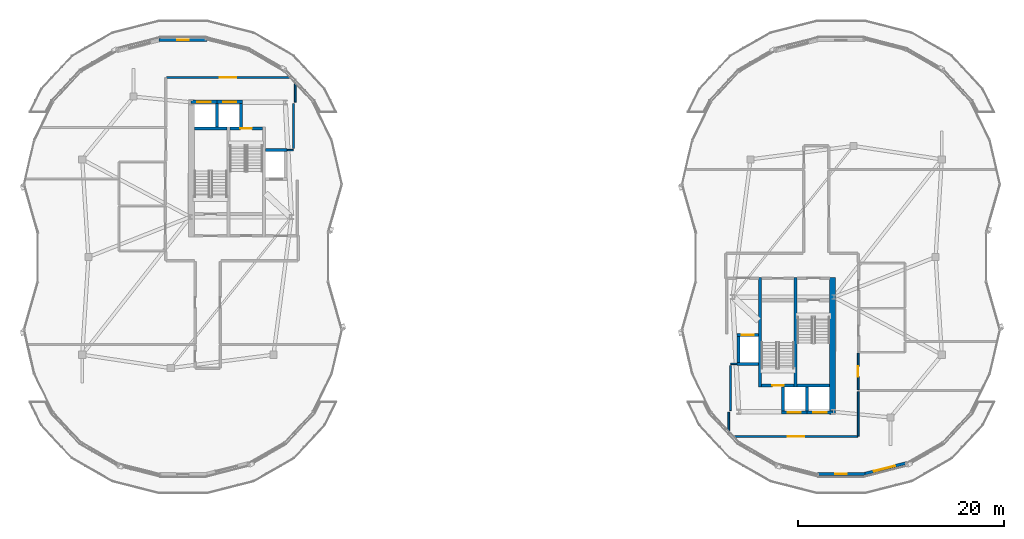
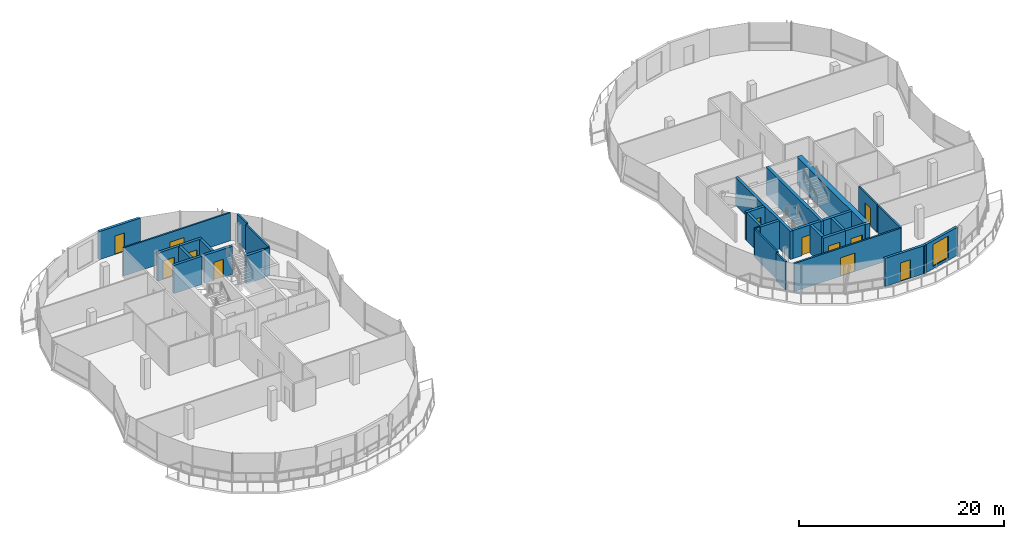
# One storey, part 13 of 20: 32 walls, 12 doors, 1 window, 13 openings.
"""IFC4 building model written with IfcOpenShell, lengths in metres."""

from ifc_helpers import new_model, si_unit, direction, frame, frame_2d, origin, place, context, subcontext, project, spatial, rectangle, extrude, material, layer, layer_set, type_object, element, fill, save


model = new_model("IFC4")

# Units and contexts
model_context = context("Model", 3, precision=1e-05, world=origin(), true_north=direction((0.0, 1.0)))
body_context = subcontext(model_context, "Body", "Model", "MODEL_VIEW")
ifc_project = project(units=[si_unit("LENGTHUNIT", "METRE"), si_unit("AREAUNIT", "SQUARE_METRE"), si_unit("VOLUMEUNIT", "CUBIC_METRE"), si_unit("PLANEANGLEUNIT", "RADIAN"), si_unit("MASSUNIT", "GRAM", prefix="KILO"), si_unit("THERMODYNAMICTEMPERATUREUNIT", "KELVIN"), si_unit("POWERUNIT", "WATT")], contexts=[model_context])

# Site, building, storey
site_placement = place(None, origin())
site = spatial("IfcSite", under=ifc_project, at=site_placement, CompositionType="ELEMENT")
building_placement = place(site_placement, origin())
building = spatial("IfcBuilding", under=site, at=building_placement, Name="Cundina Bronze Exchange", CompositionType="ELEMENT")
storey_placement = place(building_placement, frame((0.0, 0.0, 279.199951171875)))
storey = spatial("IfcBuildingStorey", under=building, at=storey_placement, Name="L74", CompositionType="ELEMENT", Elevation=279.199951171875)

# Walls
ifc_material_1 = material(Name="Gypsum Fireboard Partition EI120")
ifc_layer_1 = layer(ifc_material_1, 0.179931640625, Name="Gypsum Fireboard Partition EI120")
ifc_layer_set_1 = layer_set([ifc_layer_1], Name="Gypsum Fireboard Partition EI120")
wall_type_1 = type_object("IfcWallType", Name="WL-COR-180", PredefinedType="PARTITIONING", material=ifc_layer_set_1)
wall_1_placement = place(storey_placement, frame((-21.25, 10.570068359375, 0.0), z_axis=(0.0, 0.0, 1.0), x_axis=(0.0, 1.0, 0.0)))
element("IfcWall", 1, at=wall_1_placement, inside=storey, type_object=wall_type_1, Name="L74 Interior Partition 002", PredefinedType="PARTITIONING", context=body_context, shape_type="SweptSolid", body=[
    extrude(rectangle(XDim=4.35986328125, YDim=0.179931640625, at=frame_2d((2.179931640625, 0.0))), origin(), (0.0, 0.0, 1.0), 3.340087890625),
])
wall_2_placement = place(storey_placement, frame((-21.080078125, 15.071533203125, 0.0), z_axis=(0.0, 0.0, 1.0), x_axis=(0.0, 1.0, 0.0)))
element("IfcWall", 2, at=wall_2_placement, inside=storey, type_object=wall_type_1, Name="L74 Interior Partition 025", PredefinedType="PARTITIONING", context=body_context, shape_type="SweptSolid", body=[
    extrude(rectangle(XDim=1.80078125, YDim=0.179931640625, at=frame_2d((0.900390625, 0.0))), origin(), (0.0, 0.0, 1.0), 3.340087890625),
])

# Wall, opening, door
wall_3_placement = place(storey_placement, frame((-21.632080078125, 17.469970703125, 0.0), z_axis=(0.0, 0.0, 1.0), x_axis=(-1.0, 0.0, 0.0)))
wall_3 = element("IfcWall", 3, at=wall_3_placement, inside=storey, type_object=wall_type_1, Name="L74 Interior Partition 027", PredefinedType="PARTITIONING", context=body_context, shape_type="SweptSolid", body=[
    extrude(rectangle(XDim=11.996337890625, YDim=0.179931640625, at=frame_2d((5.998046875, 0.0))), origin(), (0.0, 0.0, 1.0), 3.340087890625),
])
opening_1_placement = place(wall_3_placement, frame((5.1982421875, 0.0, 0.0)))
opening_1 = element("IfcOpeningElement", 4, at=opening_1_placement, cuts=wall_3, Name="Opening DO-02", PredefinedType="OPENING", context=body_context, shape_type="SweptSolid", body=[
    extrude(rectangle(XDim=1.60009765625, YDim=2.199951171875, at=frame_2d((0.800048828125, 1.10009765625))), frame((0.0, 0.099853515625, 0.0), z_axis=(0.0, -1.0, 0.0), x_axis=(1.0, 0.0, 0.0)), (0.0, 0.0, 1.0), 0.199951171875),
])
ifc_material_2 = material(Name="Solid Andean Oak Timber Grade A", Category="wood")
door_type_1 = type_object("IfcDoorType", Name="DR-TRD-1600", OperationType="NOTDEFINED", PredefinedType="DOOR", material=ifc_material_2)
door_1_placement = place(opening_1_placement, origin())
door_1 = element("IfcDoor", 5, at=door_1_placement, inside=storey, type_object=door_type_1, Name="L74 Interior Door 027", OperationType="SINGLE_SWING_LEFT", OverallHeight=2.199951171875, OverallWidth=1.60009765625, PredefinedType="DOOR", context=body_context, shape_type="SweptSolid", body=[
    extrude(rectangle(XDim=1.60009765625, YDim=2.199951171875, at=frame_2d((0.800048828125, 1.10009765625))), frame((0.0, 0.02490234375, 0.0), z_axis=(0.0, -1.0, 0.0), x_axis=(1.0, 0.0, 0.0)), (0.0, 0.0, 1.0), 0.050048828125),
])
fill(opening_1, door_1)

# Wall
wall_4_placement = place(storey_placement, frame((21.25, -14.929931640625, 0.0), z_axis=(0.0, 0.0, 1.0), x_axis=(0.0, 1.0, 0.0)))
element("IfcWall", 6, at=wall_4_placement, inside=storey, type_object=wall_type_1, Name="L74 Interior Partition 030", PredefinedType="PARTITIONING", context=body_context, shape_type="SweptSolid", body=[
    extrude(rectangle(XDim=4.35986328125, YDim=0.179931640625, at=frame_2d((2.179931640625, 0.0))), origin(), (0.0, 0.0, 1.0), 3.340087890625),
])

# Wall, opening, door
wall_5_placement = place(storey_placement, frame((21.632080078125, -17.469970703125, 0.0), z_axis=(0.0, 0.0, 1.0), x_axis=(1.0, 0.0, 0.0)))
wall_5 = element("IfcWall", 7, at=wall_5_placement, inside=storey, type_object=wall_type_1, Name="L74 Interior Partition 044", PredefinedType="PARTITIONING", context=body_context, shape_type="SweptSolid", body=[
    extrude(rectangle(XDim=11.996337890625, YDim=0.179931640625, at=frame_2d((5.998046875, 0.0))), origin(), (0.0, 0.0, 1.0), 3.340087890625),
])
opening_2_placement = place(wall_5_placement, frame((5.1982421875, 0.0, 0.0)))
opening_2 = element("IfcOpeningElement", 8, at=opening_2_placement, cuts=wall_5, Name="Opening DO-02", PredefinedType="OPENING", context=body_context, shape_type="SweptSolid", body=[
    extrude(rectangle(XDim=1.60009765625, YDim=2.199951171875, at=frame_2d((0.800048828125, 1.10009765625))), frame((0.0, 0.099853515625, 0.0), z_axis=(0.0, -1.0, 0.0), x_axis=(1.0, 0.0, 0.0)), (0.0, 0.0, 1.0), 0.199951171875),
])
door_2_placement = place(opening_2_placement, origin())
door_2 = element("IfcDoor", 9, at=door_2_placement, inside=storey, type_object=door_type_1, Name="L74 Interior Door 044", OperationType="SINGLE_SWING_RIGHT", OverallHeight=2.199951171875, OverallWidth=1.60009765625, PredefinedType="DOOR", context=body_context, shape_type="SweptSolid", body=[
    extrude(rectangle(XDim=1.60009765625, YDim=2.199951171875, at=frame_2d((0.800048828125, 1.10009765625))), frame((0.0, 0.02490234375, 0.0), z_axis=(0.0, -1.0, 0.0), x_axis=(1.0, 0.0, 0.0)), (0.0, 0.0, 1.0), 0.050048828125),
])
fill(opening_2, door_2)

# Wall
wall_6_placement = place(storey_placement, frame((33.669921875, -17.428466796875, 0.0), z_axis=(0.0, 0.0, 1.0), x_axis=(0.0, 1.0, 0.0)))
element("IfcWall", 10, at=wall_6_placement, inside=storey, type_object=wall_type_1, Name="L74 Interior Partition 045", PredefinedType="PARTITIONING", context=body_context, shape_type="SweptSolid", body=[
    extrude(rectangle(XDim=4.33837890625, YDim=0.179931640625, at=frame_2d((2.169189453125, 0.0))), origin(), (0.0, 0.0, 1.0), 3.340087890625),
])

# Wall, opening, door
wall_7_placement = place(storey_placement, frame((33.669921875, -12.909912109375, 0.0), z_axis=(0.0, 0.0, 1.0), x_axis=(0.0, 1.0, 0.0)))
wall_7 = element("IfcWall", 11, at=wall_7_placement, inside=storey, type_object=wall_type_1, Name="L74 Interior Partition 046", PredefinedType="PARTITIONING", context=body_context, shape_type="SweptSolid", body=[
    extrude(rectangle(XDim=3.55859375, YDim=0.179931640625, at=frame_2d((1.779296875, 0.0))), origin(), (0.0, 0.0, 1.0), 3.340087890625),
])
opening_3_placement = place(wall_7_placement, frame((1.279296875, 0.0, 0.0)))
opening_3 = element("IfcOpeningElement", 12, at=opening_3_placement, cuts=wall_7, Name="Opening DO-01", PredefinedType="OPENING", context=body_context, shape_type="SweptSolid", body=[
    extrude(rectangle(XDim=1.0, YDim=2.14990234375, at=frame_2d((0.5, 1.074951171875))), frame((0.0, 0.099853515625, 0.0), z_axis=(0.0, -1.0, 0.0), x_axis=(1.0, 0.0, 0.0)), (0.0, 0.0, 1.0), 0.199951171875),
])
door_type_2 = type_object("IfcDoorType", Name="DR-OFF-1000", OperationType="NOTDEFINED", PredefinedType="DOOR", material=ifc_material_2)
door_3_placement = place(opening_3_placement, origin())
door_3 = element("IfcDoor", 13, at=door_3_placement, inside=storey, type_object=door_type_2, Name="L74 Interior Door 046", OperationType="SINGLE_SWING_LEFT", OverallHeight=2.14990234375, OverallWidth=1.0, PredefinedType="DOOR", context=body_context, shape_type="SweptSolid", body=[
    extrude(rectangle(XDim=1.0, YDim=2.14990234375, at=frame_2d((0.5, 1.074951171875))), frame((0.0, 0.02490234375, 0.0), z_axis=(0.0, -1.0, 0.0), x_axis=(1.0, 0.0, 0.0)), (0.0, 0.0, 1.0), 0.050048828125),
])
fill(opening_3, door_3)

# Walls
wall_8_placement = place(storey_placement, frame((21.080078125, -15.071533203125, 0.0), z_axis=(0.0, 0.0, 1.0), x_axis=(0.0, -1.0, 0.0)))
element("IfcWall", 14, at=wall_8_placement, inside=storey, type_object=wall_type_1, Name="L74 Interior Partition 050", PredefinedType="PARTITIONING", context=body_context, shape_type="SweptSolid", body=[
    extrude(rectangle(XDim=1.80078125, YDim=0.179931640625, at=frame_2d((0.900390625, 0.0))), origin(), (0.0, 0.0, 1.0), 3.340087890625),
])
ifc_material_3 = material(Name="Concrete C50/60", Category="concrete")
ifc_layer_2 = layer(ifc_material_3, 0.550048828125, Name="Concrete C50/60", Category="concrete")
ifc_layer_set_2 = layer_set([ifc_layer_2], Name="Concrete C50/60")
wall_type_2 = type_object("IfcWallType", Name="WL-CORE-550", PredefinedType="SHEAR", material=ifc_layer_set_2)
wall_9_placement = place(storey_placement, frame((31.175048828125, -15.300048828125, 0.0), z_axis=(0.0, 0.0, 1.0), x_axis=(0.0, 1.0, 0.0)))
element("IfcWall", 15, at=wall_9_placement, inside=storey, type_object=wall_type_2, Name="L74 E Primary Core Shear Spine Wall", PredefinedType="SHEAR", context=body_context, shape_type="SweptSolid", body=[
    extrude(rectangle(XDim=13.330078125, YDim=0.550048828125, at=frame_2d((6.6650390625, 0.0))), origin(), (0.0, 0.0, 1.0), 3.340087890625),
])

# Wall, opening, door
ifc_material_4 = material(Name="Precast Concrete C45/55", Category="concrete")
ifc_layer_3 = layer(ifc_material_4, 0.280029296875, Name="Precast Concrete C45/55", Category="concrete")
ifc_layer_set_3 = layer_set([ifc_layer_3], Name="Precast Concrete C45/55")
wall_type_3 = type_object("IfcWallType", Name="WL-EXT-280", PredefinedType="SOLIDWALL", material=ifc_layer_set_3)
wall_10_placement = place(storey_placement, frame((-29.67822265625, 21.105712890625, 0.0), z_axis=(0.0, 0.0, 1.0), x_axis=(-1.0, 0.0, 0.0)))
wall_10 = element("IfcWall", 16, at=wall_10_placement, inside=storey, type_object=wall_type_3, Name="L74 Leg W Crown Terrace Wall 06", PredefinedType="SOLIDWALL", context=body_context, shape_type="SweptSolid", body=[
    extrude(rectangle(XDim=4.6435546875, YDim=0.280029296875, at=frame_2d((2.32177734375, 0.0))), origin(), (0.0, 0.0, 1.0), 3.340087890625),
])
opening_4_placement = place(wall_10_placement, frame((1.77197265625, 0.0, 0.0)))
opening_4 = element("IfcOpeningElement", 17, at=opening_4_placement, cuts=wall_10, Name="Opening DT-01", PredefinedType="OPENING", context=body_context, shape_type="SweptSolid", body=[
    extrude(rectangle(XDim=1.10009765625, YDim=2.199951171875, at=frame_2d((0.550048828125, 1.10009765625))), frame((0.0, 0.14990234375, 0.0), z_axis=(0.0, -1.0, 0.0), x_axis=(1.0, 0.0, 0.0)), (0.0, 0.0, 1.0), 0.300048828125),
])
ifc_material_5 = material(Name="Anodised Bronze Aluminium 6063-T6", Category="aluminium")
door_type_3 = type_object("IfcDoorType", Name="DR-TER-1100", OperationType="NOTDEFINED", PredefinedType="DOOR", material=ifc_material_5)
door_4_placement = place(opening_4_placement, origin())
door_4 = element("IfcDoor", 18, at=door_4_placement, inside=storey, type_object=door_type_3, Name="L74 Leg W Planted Terrace Access Door 06", OperationType="SINGLE_SWING_LEFT", OverallHeight=2.199951171875, OverallWidth=1.10009765625, PredefinedType="DOOR", context=body_context, shape_type="SweptSolid", body=[
    extrude(rectangle(XDim=1.10009765625, YDim=2.199951171875, at=frame_2d((0.550048828125, 1.10009765625))), frame((0.0, 0.02490234375, 0.0), z_axis=(0.0, -1.0, 0.0), x_axis=(1.0, 0.0, 0.0)), (0.0, 0.0, 1.0), 0.050048828125),
])
fill(opening_4, door_4)

wall_11_placement = place(storey_placement, frame((29.67822265625, -21.105712890625, 0.0), z_axis=(0.0, 0.0, 1.0), x_axis=(1.0, 0.0, 0.0)))
wall_11 = element("IfcWall", 19, at=wall_11_placement, inside=storey, type_object=wall_type_3, Name="L74 Leg E Crown Terrace Wall 20", PredefinedType="SOLIDWALL", context=body_context, shape_type="SweptSolid", body=[
    extrude(rectangle(XDim=4.6435546875, YDim=0.280029296875, at=frame_2d((2.32177734375, 0.0))), origin(), (0.0, 0.0, 1.0), 3.340087890625),
])
opening_5_placement = place(wall_11_placement, frame((1.77197265625, 0.0, 0.0)))
opening_5 = element("IfcOpeningElement", 20, at=opening_5_placement, cuts=wall_11, Name="Opening DT-01", PredefinedType="OPENING", context=body_context, shape_type="SweptSolid", body=[
    extrude(rectangle(XDim=1.10009765625, YDim=2.199951171875, at=frame_2d((0.550048828125, 1.10009765625))), frame((0.0, 0.14990234375, 0.0), z_axis=(0.0, -1.0, 0.0), x_axis=(1.0, 0.0, 0.0)), (0.0, 0.0, 1.0), 0.300048828125),
])
door_5_placement = place(opening_5_placement, origin())
door_5 = element("IfcDoor", 21, at=door_5_placement, inside=storey, type_object=door_type_3, Name="L74 Leg E Planted Terrace Access Door 20", OperationType="SINGLE_SWING_RIGHT", OverallHeight=2.199951171875, OverallWidth=1.10009765625, PredefinedType="DOOR", context=body_context, shape_type="SweptSolid", body=[
    extrude(rectangle(XDim=1.10009765625, YDim=2.199951171875, at=frame_2d((0.550048828125, 1.10009765625))), frame((0.0, 0.02490234375, 0.0), z_axis=(0.0, -1.0, 0.0), x_axis=(1.0, 0.0, 0.0)), (0.0, 0.0, 1.0), 0.050048828125),
])
fill(opening_5, door_5)

# Wall, opening, window
wall_12_placement = place(storey_placement, frame((34.006591796875, -21.1455078125, 0.0), z_axis=(0.0, 0.0, 1.0), x_axis=(0.968658938671, 0.248394566232, 0.0)))
wall_12 = element("IfcWall", 22, at=wall_12_placement, inside=storey, type_object=wall_type_3, Name="L74 Leg E Crown Feature Wall 21", PredefinedType="SOLIDWALL", context=body_context, shape_type="SweptSolid", body=[
    extrude(rectangle(XDim=4.585205078125, YDim=0.280029296875, at=frame_2d((2.29248046875, 0.0))), origin(), (0.0, 0.0, 1.0), 3.340087890625),
])
opening_6_placement = place(wall_12_placement, frame((1.242919921875, 0.0, 0.300048828125)))
opening_6 = element("IfcOpeningElement", 23, at=opening_6_placement, cuts=wall_12, Name="Opening W-04", PredefinedType="OPENING", context=body_context, shape_type="SweptSolid", body=[
    extrude(rectangle(XDim=2.10009765625, YDim=2.60009765625, at=frame_2d((1.050048828125, 1.300048828125))), frame((0.0, 0.14990234375, 0.0), z_axis=(0.0, -1.0, 0.0), x_axis=(1.0, 0.0, 0.0)), (0.0, 0.0, 1.0), 0.300048828125),
])
ifc_material_6 = material(Name="Clear Low-E Insulating Glass 26mm", Category="glass")
window_type = type_object("IfcWindowType", Name="WN-CRN-2100", PartitioningType="SINGLE_PANEL", PredefinedType="WINDOW", material=ifc_material_6)
window_placement = place(opening_6_placement, origin())
window = element("IfcWindow", 24, at=window_placement, inside=storey, type_object=window_type, Name="L74 Leg E Crown Pavilion Window 21", OverallHeight=2.60009765625, OverallWidth=2.10009765625, PartitioningType="SINGLE_PANEL", PredefinedType="WINDOW", context=body_context, shape_type="SweptSolid", body=[
    extrude(rectangle(XDim=2.10009765625, YDim=2.60009765625, at=frame_2d((1.050048828125, 1.300048828125))), frame((0.0, 0.030029296875, 0.0), z_axis=(0.0, -1.0, 0.0), x_axis=(1.0, 0.0, 0.0)), (0.0, 0.0, 1.0), 0.06005859375),
])
fill(opening_6, window)

# Wall
ifc_layer_4 = layer(ifc_material_3, 0.300048828125, Name="Concrete C50/60", Category="concrete")
ifc_layer_set_4 = layer_set([ifc_layer_4], Name="Concrete C50/60")
wall_type_4 = type_object("IfcWallType", Name="WL-SHFT-300", PredefinedType="SHEAR", material=ifc_layer_set_4)
wall_13_placement = place(storey_placement, frame((-30.89990234375, 12.5, 0.0), z_axis=(0.0, 0.0, 1.0), x_axis=(1.0, 0.0, 0.0)))
element("IfcWall", 25, at=wall_13_placement, inside=storey, type_object=wall_type_4, Name="L74 Stair W1 Far Shaft Wall", PredefinedType="SHEAR", context=body_context, shape_type="SweptSolid", body=[
    extrude(rectangle(XDim=3.159912109375, YDim=0.300048828125, at=frame_2d((1.580078125, 0.0))), origin(), (0.0, 0.0, 1.0), 3.340087890625),
])

# Wall, opening, door
wall_14_placement = place(storey_placement, frame((-27.43994140625, 12.5, 0.0), z_axis=(0.0, 0.0, 1.0), x_axis=(1.0, 0.0, 0.0)))
wall_14 = element("IfcWall", 26, at=wall_14_placement, inside=storey, type_object=wall_type_4, Name="L74 Stair W2 Landing Wall", PredefinedType="SHEAR", context=body_context, shape_type="SweptSolid", body=[
    extrude(rectangle(XDim=3.159912109375, YDim=0.300048828125, at=frame_2d((1.580078125, 0.0))), origin(), (0.0, 0.0, 1.0), 3.340087890625),
])
opening_7_placement = place(wall_14_placement, frame((1.030029296875, 0.0, 0.0)))
opening_7 = element("IfcOpeningElement", 27, at=opening_7_placement, cuts=wall_14, Name="Opening DS-01", PredefinedType="OPENING", context=body_context, shape_type="SweptSolid", body=[
    extrude(rectangle(XDim=1.10009765625, YDim=2.14990234375, at=frame_2d((0.550048828125, 1.074951171875))), frame((0.0, 0.159912109375, 0.0), z_axis=(0.0, -1.0, 0.0), x_axis=(1.0, 0.0, 0.0)), (0.0, 0.0, 1.0), 0.320068359375),
])
ifc_material_7 = material(Name="Steel ASTM A36 Painted", Category="steel")
door_type_4 = type_object("IfcDoorType", Name="DR-STR-1100", OperationType="NOTDEFINED", PredefinedType="DOOR", material=ifc_material_7)
door_6_placement = place(opening_7_placement, origin())
door_6 = element("IfcDoor", 28, at=door_6_placement, inside=storey, type_object=door_type_4, Name="L74 Smokeproof Stair W2 Door", OperationType="SINGLE_SWING_LEFT", OverallHeight=2.14990234375, OverallWidth=1.10009765625, PredefinedType="DOOR", context=body_context, shape_type="SweptSolid", body=[
    extrude(rectangle(XDim=1.10009765625, YDim=2.14990234375, at=frame_2d((0.550048828125, 1.074951171875))), frame((0.0, 0.02490234375, 0.0), z_axis=(0.0, -1.0, 0.0), x_axis=(1.0, 0.0, 0.0)), (0.0, 0.0, 1.0), 0.050048828125),
])
fill(opening_7, door_6)

# Wall
wall_15_placement = place(storey_placement, frame((-23.97998046875, 10.39990234375, 0.0), z_axis=(0.0, 0.0, 1.0), x_axis=(1.0, 0.0, 0.0)))
element("IfcWall", 29, at=wall_15_placement, inside=storey, type_object=wall_type_4, Name="L74 FFL-W Hoistway Back Wall", PredefinedType="SHEAR", context=body_context, shape_type="SweptSolid", body=[
    extrude(rectangle(XDim=2.10009765625, YDim=0.300048828125, at=frame_2d((1.050048828125, 0.0))), origin(), (0.0, 0.0, 1.0), 3.340087890625),
])

# Wall, opening, door
wall_16_placement = place(storey_placement, frame((-31.199951171875, 15.10009765625, 0.0), z_axis=(0.0, 0.0, 1.0), x_axis=(1.0, 0.0, 0.0)))
wall_16 = element("IfcWall", 30, at=wall_16_placement, inside=storey, type_object=wall_type_4, Name="L74 PH-W1 Hoistway Front Wall", PredefinedType="SHEAR", context=body_context, shape_type="SweptSolid", body=[
    extrude(rectangle(XDim=2.5, YDim=0.300048828125, at=frame_2d((1.25, 0.0))), origin(), (0.0, 0.0, 1.0), 3.340087890625),
])
opening_8_placement = place(wall_16_placement, frame((0.60009765625, 0.0, 0.0)))
opening_8 = element("IfcOpeningElement", 31, at=opening_8_placement, cuts=wall_16, Name="Opening LD-02", PredefinedType="OPENING", context=body_context, shape_type="SweptSolid", body=[
    extrude(rectangle(XDim=1.300048828125, YDim=2.199951171875, at=frame_2d((0.64990234375, 1.10009765625))), frame((0.0, 0.159912109375, 0.0), z_axis=(0.0, -1.0, 0.0), x_axis=(1.0, 0.0, 0.0)), (0.0, 0.0, 1.0), 0.320068359375),
])
door_type_5 = type_object("IfcDoorType", Name="DR-LND-1300", OperationType="NOTDEFINED", PredefinedType="TRAPDOOR", material=ifc_material_7)
door_7_placement = place(opening_8_placement, origin())
door_7 = element("IfcDoor", 32, at=door_7_placement, inside=storey, type_object=door_type_5, Name="L74 PH-W1 Sliding Landing Door", OperationType="SLIDING_TO_LEFT", OverallHeight=2.199951171875, OverallWidth=1.300048828125, PredefinedType="TRAPDOOR", context=body_context, shape_type="SweptSolid", body=[
    extrude(rectangle(XDim=1.300048828125, YDim=2.199951171875, at=frame_2d((0.64990234375, 1.10009765625))), frame((0.0, 0.02490234375, 0.0), z_axis=(0.0, -1.0, 0.0), x_axis=(1.0, 0.0, 0.0)), (0.0, 0.0, 1.0), 0.050048828125),
])
fill(opening_8, door_7)

# Wall
wall_17_placement = place(storey_placement, frame((-28.699951171875, 12.64990234375, 0.0), z_axis=(0.0, 0.0, 1.0), x_axis=(0.0, 1.0, 0.0)))
element("IfcWall", 33, at=wall_17_placement, inside=storey, type_object=wall_type_4, Name="L74 PH-W1 Hoistway Divider Wall", PredefinedType="SHEAR", context=body_context, shape_type="SweptSolid", body=[
    extrude(rectangle(XDim=2.300048828125, YDim=0.300048828125, at=frame_2d((1.14990234375, 0.0))), origin(), (0.0, 0.0, 1.0), 3.340087890625),
])

# Wall, opening, door
wall_18_placement = place(storey_placement, frame((-28.699951171875, 15.10009765625, 0.0), z_axis=(0.0, 0.0, 1.0), x_axis=(1.0, 0.0, 0.0)))
wall_18 = element("IfcWall", 34, at=wall_18_placement, inside=storey, type_object=wall_type_4, Name="L74 PH-W2 Hoistway Front Wall", PredefinedType="SHEAR", context=body_context, shape_type="SweptSolid", body=[
    extrude(rectangle(XDim=2.5, YDim=0.300048828125, at=frame_2d((1.25, 0.0))), origin(), (0.0, 0.0, 1.0), 3.340087890625),
])
opening_9_placement = place(wall_18_placement, frame((0.60009765625, 0.0, 0.0)))
opening_9 = element("IfcOpeningElement", 35, at=opening_9_placement, cuts=wall_18, Name="Opening LD-02", PredefinedType="OPENING", context=body_context, shape_type="SweptSolid", body=[
    extrude(rectangle(XDim=1.300048828125, YDim=2.199951171875, at=frame_2d((0.64990234375, 1.10009765625))), frame((0.0, 0.159912109375, 0.0), z_axis=(0.0, -1.0, 0.0), x_axis=(1.0, 0.0, 0.0)), (0.0, 0.0, 1.0), 0.320068359375),
])
door_8_placement = place(opening_9_placement, origin())
door_8 = element("IfcDoor", 36, at=door_8_placement, inside=storey, type_object=door_type_5, Name="L74 PH-W2 Sliding Landing Door", OperationType="SLIDING_TO_LEFT", OverallHeight=2.199951171875, OverallWidth=1.300048828125, PredefinedType="TRAPDOOR", context=body_context, shape_type="SweptSolid", body=[
    extrude(rectangle(XDim=1.300048828125, YDim=2.199951171875, at=frame_2d((0.64990234375, 1.10009765625))), frame((0.0, 0.02490234375, 0.0), z_axis=(0.0, -1.0, 0.0), x_axis=(1.0, 0.0, 0.0)), (0.0, 0.0, 1.0), 0.050048828125),
])
fill(opening_9, door_8)

# Walls
wall_19_placement = place(storey_placement, frame((-26.35009765625, 12.64990234375, 0.0), z_axis=(0.0, 0.0, 1.0), x_axis=(0.0, 1.0, 0.0)))
element("IfcWall", 37, at=wall_19_placement, inside=storey, type_object=wall_type_4, Name="L74 PH-W2 Hoistway Divider Wall", PredefinedType="SHEAR", context=body_context, shape_type="SweptSolid", body=[
    extrude(rectangle(XDim=2.300048828125, YDim=0.300048828125, at=frame_2d((1.14990234375, 0.0))), origin(), (0.0, 0.0, 1.0), 3.340087890625),
])
for number, where, z_axis, x_axis, name in (
    (38, (27.590087890625, -12.64990234375, 0.0), (0.0, 0.0, 1.0), (0.0, 1.0, 0.0), "L74 E Stair Shaft Dividing Shear Wall"),
    (39, (24.1298828125, -12.64990234375, 0.0), (0.0, 0.0, 1.0), (0.0, 1.0, 0.0), "L74 E Stair 2 East Shear Wall"),
):
    element("IfcWall", number, at=place(storey_placement, frame(where, z_axis=z_axis, x_axis=x_axis)), inside=storey, type_object=wall_type_4, Name=name, PredefinedType="SHEAR", context=body_context, shape_type="SweptSolid", body=[
        extrude(rectangle(XDim=10.679931640625, YDim=0.300048828125, at=frame_2d((5.33984375, 0.0))), origin(), (0.0, 0.0, 1.0), 3.340087890625),
    ])
wall_20_placement = place(storey_placement, frame((27.739990234375, -12.5, 0.0), z_axis=(0.0, 0.0, 1.0), x_axis=(1.0, 0.0, 0.0)))
element("IfcWall", 40, at=wall_20_placement, inside=storey, type_object=wall_type_4, Name="L74 Stair E1 Far Shaft Wall", PredefinedType="SHEAR", context=body_context, shape_type="SweptSolid", body=[
    extrude(rectangle(XDim=3.159912109375, YDim=0.300048828125, at=frame_2d((1.580078125, 0.0))), origin(), (0.0, 0.0, 1.0), 3.340087890625),
])

# Wall, opening, door
wall_21_placement = place(storey_placement, frame((24.280029296875, -12.5, 0.0), z_axis=(0.0, 0.0, 1.0), x_axis=(1.0, 0.0, 0.0)))
wall_21 = element("IfcWall", 41, at=wall_21_placement, inside=storey, type_object=wall_type_4, Name="L74 Stair E2 Landing Wall", PredefinedType="SHEAR", context=body_context, shape_type="SweptSolid", body=[
    extrude(rectangle(XDim=3.159912109375, YDim=0.300048828125, at=frame_2d((1.580078125, 0.0))), origin(), (0.0, 0.0, 1.0), 3.340087890625),
])
opening_10_placement = place(wall_21_placement, frame((1.030029296875, 0.0, 0.0)))
opening_10 = element("IfcOpeningElement", 42, at=opening_10_placement, cuts=wall_21, Name="Opening DS-01", PredefinedType="OPENING", context=body_context, shape_type="SweptSolid", body=[
    extrude(rectangle(XDim=1.10009765625, YDim=2.14990234375, at=frame_2d((0.550048828125, 1.074951171875))), frame((0.0, 0.159912109375, 0.0), z_axis=(0.0, -1.0, 0.0), x_axis=(1.0, 0.0, 0.0)), (0.0, 0.0, 1.0), 0.320068359375),
])
door_9_placement = place(opening_10_placement, origin())
door_9 = element("IfcDoor", 43, at=door_9_placement, inside=storey, type_object=door_type_4, Name="L74 Smokeproof Stair E2 Door", OperationType="SINGLE_SWING_RIGHT", OverallHeight=2.14990234375, OverallWidth=1.10009765625, PredefinedType="DOOR", context=body_context, shape_type="SweptSolid", body=[
    extrude(rectangle(XDim=1.10009765625, YDim=2.14990234375, at=frame_2d((0.550048828125, 1.074951171875))), frame((0.0, 0.02490234375, 0.0), z_axis=(0.0, -1.0, 0.0), x_axis=(1.0, 0.0, 0.0)), (0.0, 0.0, 1.0), 0.050048828125),
])
fill(opening_10, door_9)

wall_22_placement = place(storey_placement, frame((21.8798828125, -7.60009765625, 0.0), z_axis=(0.0, 0.0, 1.0), x_axis=(1.0, 0.0, 0.0)))
wall_22 = element("IfcWall", 44, at=wall_22_placement, inside=storey, type_object=wall_type_4, Name="L74 FFL-E Hoistway Front Wall", PredefinedType="SHEAR", context=body_context, shape_type="SweptSolid", body=[
    extrude(rectangle(XDim=2.10009765625, YDim=0.300048828125, at=frame_2d((1.050048828125, 0.0))), origin(), (0.0, 0.0, 1.0), 3.340087890625),
])
opening_11_placement = place(wall_22_placement, frame((0.47509765625, 0.0, 0.0)))
opening_11 = element("IfcOpeningElement", 45, at=opening_11_placement, cuts=wall_22, Name="Opening LD-01", PredefinedType="OPENING", context=body_context, shape_type="SweptSolid", body=[
    extrude(rectangle(XDim=1.14990234375, YDim=2.199951171875, at=frame_2d((0.574951171875, 1.10009765625))), frame((0.0, 0.159912109375, 0.0), z_axis=(0.0, -1.0, 0.0), x_axis=(1.0, 0.0, 0.0)), (0.0, 0.0, 1.0), 0.320068359375),
])
door_type_6 = type_object("IfcDoorType", Name="DR-LND-1150", OperationType="NOTDEFINED", PredefinedType="TRAPDOOR", material=ifc_material_7)
door_10_placement = place(opening_11_placement, origin())
door_10 = element("IfcDoor", 46, at=door_10_placement, inside=storey, type_object=door_type_6, Name="L74 FFL-E Sliding Landing Door", OperationType="SLIDING_TO_LEFT", OverallHeight=2.199951171875, OverallWidth=1.14990234375, PredefinedType="TRAPDOOR", context=body_context, shape_type="SweptSolid", body=[
    extrude(rectangle(XDim=1.14990234375, YDim=2.199951171875, at=frame_2d((0.574951171875, 1.10009765625))), frame((0.0, 0.02490234375, 0.0), z_axis=(0.0, -1.0, 0.0), x_axis=(1.0, 0.0, 0.0)), (0.0, 0.0, 1.0), 0.050048828125),
])
fill(opening_11, door_10)

# Walls
wall_23_placement = place(storey_placement, frame((21.8798828125, -10.39990234375, 0.0), z_axis=(0.0, 0.0, 1.0), x_axis=(1.0, 0.0, 0.0)))
element("IfcWall", 47, at=wall_23_placement, inside=storey, type_object=wall_type_4, Name="L74 FFL-E Hoistway Back Wall", PredefinedType="SHEAR", context=body_context, shape_type="SweptSolid", body=[
    extrude(rectangle(XDim=2.10009765625, YDim=0.300048828125, at=frame_2d((1.050048828125, 0.0))), origin(), (0.0, 0.0, 1.0), 3.340087890625),
])
wall_24_placement = place(storey_placement, frame((22.030029296875, -10.25, 0.0), z_axis=(0.0, 0.0, 1.0), x_axis=(0.0, 1.0, 0.0)))
element("IfcWall", 48, at=wall_24_placement, inside=storey, type_object=wall_type_4, Name="L74 FFL-E Hoistway Side Wall", PredefinedType="SHEAR", context=body_context, shape_type="SweptSolid", body=[
    extrude(rectangle(XDim=2.5, YDim=0.300048828125, at=frame_2d((1.25, 0.0))), origin(), (0.0, 0.0, 1.0), 3.340087890625),
])

# Wall, opening, door
wall_25_placement = place(storey_placement, frame((28.699951171875, -15.10009765625, 0.0), z_axis=(0.0, 0.0, 1.0), x_axis=(1.0, 0.0, 0.0)))
wall_25 = element("IfcWall", 49, at=wall_25_placement, inside=storey, type_object=wall_type_4, Name="L74 PH-E1 Hoistway Front Wall", PredefinedType="SHEAR", context=body_context, shape_type="SweptSolid", body=[
    extrude(rectangle(XDim=2.5, YDim=0.300048828125, at=frame_2d((1.25, 0.0))), origin(), (0.0, 0.0, 1.0), 3.340087890625),
])
opening_12_placement = place(wall_25_placement, frame((0.60009765625, 0.0, 0.0)))
opening_12 = element("IfcOpeningElement", 50, at=opening_12_placement, cuts=wall_25, Name="Opening LD-02", PredefinedType="OPENING", context=body_context, shape_type="SweptSolid", body=[
    extrude(rectangle(XDim=1.300048828125, YDim=2.199951171875, at=frame_2d((0.64990234375, 1.10009765625))), frame((0.0, 0.159912109375, 0.0), z_axis=(0.0, -1.0, 0.0), x_axis=(1.0, 0.0, 0.0)), (0.0, 0.0, 1.0), 0.320068359375),
])
door_11_placement = place(opening_12_placement, origin())
door_11 = element("IfcDoor", 51, at=door_11_placement, inside=storey, type_object=door_type_5, Name="L74 PH-E1 Sliding Landing Door", OperationType="SLIDING_TO_LEFT", OverallHeight=2.199951171875, OverallWidth=1.300048828125, PredefinedType="TRAPDOOR", context=body_context, shape_type="SweptSolid", body=[
    extrude(rectangle(XDim=1.300048828125, YDim=2.199951171875, at=frame_2d((0.64990234375, 1.10009765625))), frame((0.0, 0.02490234375, 0.0), z_axis=(0.0, -1.0, 0.0), x_axis=(1.0, 0.0, 0.0)), (0.0, 0.0, 1.0), 0.050048828125),
])
fill(opening_12, door_11)

# Wall
wall_26_placement = place(storey_placement, frame((28.699951171875, -14.949951171875, 0.0), z_axis=(0.0, 0.0, 1.0), x_axis=(0.0, 1.0, 0.0)))
element("IfcWall", 52, at=wall_26_placement, inside=storey, type_object=wall_type_4, Name="L74 PH-E1 Hoistway Divider Wall", PredefinedType="SHEAR", context=body_context, shape_type="SweptSolid", body=[
    extrude(rectangle(XDim=2.300048828125, YDim=0.300048828125, at=frame_2d((1.14990234375, 0.0))), origin(), (0.0, 0.0, 1.0), 3.340087890625),
])

# Wall, opening, door
wall_27_placement = place(storey_placement, frame((26.199951171875, -15.10009765625, 0.0), z_axis=(0.0, 0.0, 1.0), x_axis=(1.0, 0.0, 0.0)))
wall_27 = element("IfcWall", 53, at=wall_27_placement, inside=storey, type_object=wall_type_4, Name="L74 PH-E2 Hoistway Front Wall", PredefinedType="SHEAR", context=body_context, shape_type="SweptSolid", body=[
    extrude(rectangle(XDim=2.5, YDim=0.300048828125, at=frame_2d((1.25, 0.0))), origin(), (0.0, 0.0, 1.0), 3.340087890625),
])
opening_13_placement = place(wall_27_placement, frame((0.60009765625, 0.0, 0.0)))
opening_13 = element("IfcOpeningElement", 54, at=opening_13_placement, cuts=wall_27, Name="Opening LD-02", PredefinedType="OPENING", context=body_context, shape_type="SweptSolid", body=[
    extrude(rectangle(XDim=1.300048828125, YDim=2.199951171875, at=frame_2d((0.64990234375, 1.10009765625))), frame((0.0, 0.159912109375, 0.0), z_axis=(0.0, -1.0, 0.0), x_axis=(1.0, 0.0, 0.0)), (0.0, 0.0, 1.0), 0.320068359375),
])
door_12_placement = place(opening_13_placement, origin())
door_12 = element("IfcDoor", 55, at=door_12_placement, inside=storey, type_object=door_type_5, Name="L74 PH-E2 Sliding Landing Door", OperationType="SLIDING_TO_LEFT", OverallHeight=2.199951171875, OverallWidth=1.300048828125, PredefinedType="TRAPDOOR", context=body_context, shape_type="SweptSolid", body=[
    extrude(rectangle(XDim=1.300048828125, YDim=2.199951171875, at=frame_2d((0.64990234375, 1.10009765625))), frame((0.0, 0.02490234375, 0.0), z_axis=(0.0, -1.0, 0.0), x_axis=(1.0, 0.0, 0.0)), (0.0, 0.0, 1.0), 0.050048828125),
])
fill(opening_13, door_12)

# Walls
wall_28_placement = place(storey_placement, frame((26.35009765625, -14.949951171875, 0.0), z_axis=(0.0, 0.0, 1.0), x_axis=(0.0, 1.0, 0.0)))
element("IfcWall", 56, at=wall_28_placement, inside=storey, type_object=wall_type_4, Name="L74 PH-E2 Hoistway Divider Wall", PredefinedType="SHEAR", context=body_context, shape_type="SweptSolid", body=[
    extrude(rectangle(XDim=2.300048828125, YDim=0.300048828125, at=frame_2d((1.14990234375, 0.0))), origin(), (0.0, 0.0, 1.0), 3.340087890625),
])
ifc_material_8 = material(Name="Moisture-Resistant Masonry Block Grade M15", Category="masonry")
ifc_layer_5 = layer(ifc_material_8, 0.139892578125, Name="Moisture-Resistant Masonry Block Grade M15", Category="masonry")
ifc_layer_set_5 = layer_set([ifc_layer_5], Name="Moisture-Resistant Masonry Block Grade M15")
wall_type_5 = type_object("IfcWallType", Name="WL-WET-140", PredefinedType="PARTITIONING", material=ifc_layer_set_5)
for number, where, z_axis, x_axis, name in (
    (57, (-21.860107421875, 10.39990234375, 0.0), (0.0, 0.0, 1.0), (1.0, 0.0, 0.0), "L74 Interior Partition 001"),
    (58, (21.27001953125, -10.39990234375, 0.0), (0.0, 0.0, 1.0), (1.0, 0.0, 0.0), "L74 Interior Partition 029"),
):
    element("IfcWall", number, at=place(storey_placement, frame(where, z_axis=z_axis, x_axis=x_axis)), inside=storey, type_object=wall_type_5, Name=name, PredefinedType="PARTITIONING", context=body_context, shape_type="SweptSolid", body=[
        extrude(rectangle(XDim=0.590087890625, YDim=0.139892578125, at=frame_2d((0.294921875, 0.0))), origin(), (0.0, 0.0, 1.0), 3.340087890625),
    ])

save(model, "model.ifc")
